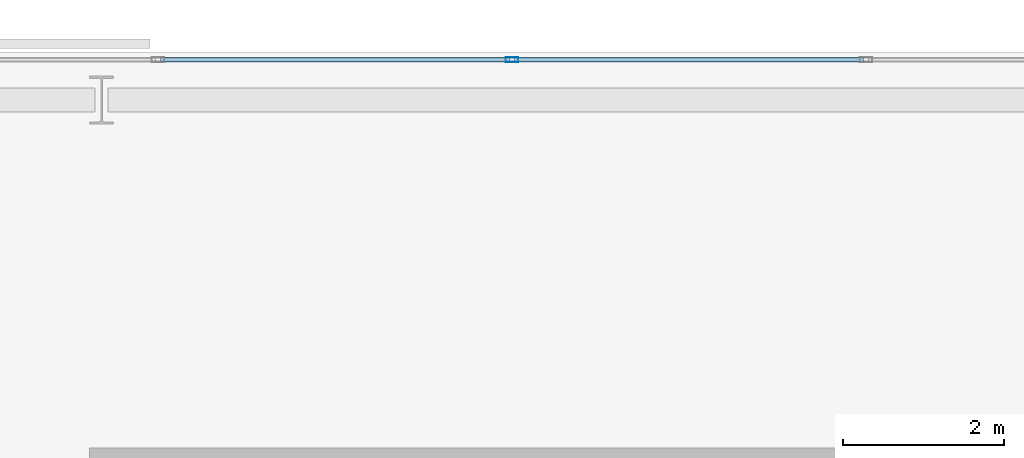
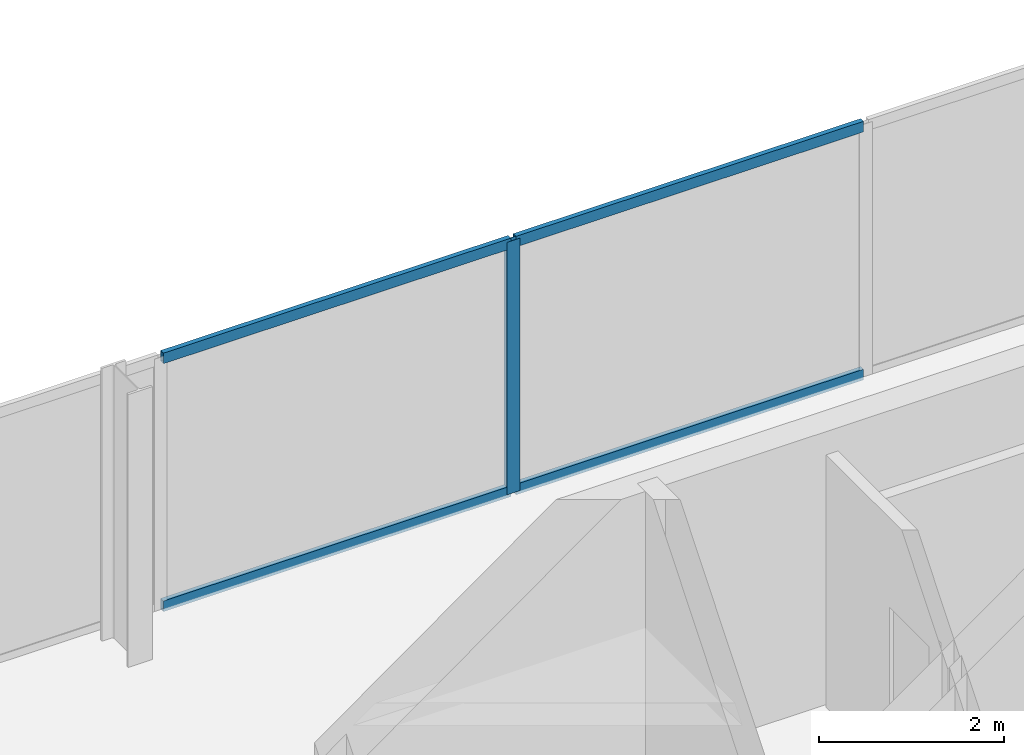
# One storey, part 20 of 32: 5 members, 1 element without a shape of its own.
"""IFC4 building model written with IfcOpenShell, lengths in metres."""

from ifc_helpers import new_model, si_unit, direction, frame, origin, origin_2d, place, context, subcontext, project, spatial, hollow_rectangle, extrude, material, layer, layer_set, material_profile, profile_set, type_object, element, aggregate, save


model = new_model("IFC4")

# Units and contexts
model_context = context("Model", 3, precision=1e-05, world=origin(), true_north=direction((0.0, 1.0)))
body_context = subcontext(model_context, "Body", "Model", "MODEL_VIEW")
ifc_project = project(units=[si_unit("LENGTHUNIT", "METRE"), si_unit("AREAUNIT", "SQUARE_METRE"), si_unit("VOLUMEUNIT", "CUBIC_METRE"), si_unit("PLANEANGLEUNIT", "RADIAN"), si_unit("MASSUNIT", "GRAM", prefix="KILO")], contexts=[model_context])

# Site, building, storey
site_placement = place(None, origin())
site = spatial("IfcSite", under=ifc_project, at=site_placement, CompositionType="ELEMENT")
building_placement = place(site_placement, origin())
building = spatial("IfcBuilding", under=site, at=building_placement, Name="Catumbela Crestline Tower", CompositionType="ELEMENT")
storey_placement = place(building_placement, frame((0.0, 0.0, 136.8)))
storey = spatial("IfcBuildingStorey", under=building, at=storey_placement, Name="L35", CompositionType="ELEMENT", Elevation=136.8)

# Curtain wall, members
ifc_material = material(Name="Aluminium alloy AW-6060-T66", Category="aluminium")
ifc_layer = layer(ifc_material, 0.18, Name="Aluminium alloy AW-6060-T66")
ifc_layer_set = layer_set([ifc_layer], Name="Aluminium alloy AW-6060-T66")
curtain_wall_type = type_object("IfcCurtainWallType", Name="CWU-Z2", PredefinedType="USERDEFINED", material=ifc_layer_set)
curtain_wall_placement = place(storey_placement, origin())
curtain_wall = element("IfcCurtainWall", 1, at=curtain_wall_placement, inside=storey, type_object=curtain_wall_type, Name="L35 Unitised Curtain Wall CW-L35-E7S1", ObjectType="UNITISED", PredefinedType="USERDEFINED")
ifc_material_profile_1 = material_profile(ifc_material, hollow_rectangle(XDim=0.06, YDim=0.16, WallThickness=0.004, at=origin_2d()), Name="ALU 160x60x4")
ifc_profile_set_1 = profile_set([ifc_material_profile_1], Name="Aluminium alloy AW-6060-T66")
member_type_1 = type_object("IfcMemberType", Name="MUL-160X60", PredefinedType="MULLION", material=ifc_profile_set_1)
member_1_placement = place(storey_placement, frame((21.1, 47.9, 0.0), z_axis=(0.0, 0.0, 1.0), x_axis=(0.0, -1.0, 0.0)))
member_1 = element("IfcMember", 2, at=member_1_placement, type_object=member_type_1, Name="CWU-Z2 mullion 7", PredefinedType="MULLION", context=body_context, shape_type="SweptSolid", body=[
    extrude(hollow_rectangle(XDim=0.06, YDim=0.16, WallThickness=0.004, at=origin_2d()), origin(), (0.0, 0.0, 1.0), 3.33),
])
ifc_material_profile_2 = material_profile(ifc_material, hollow_rectangle(XDim=0.06, YDim=0.14, WallThickness=0.004, at=origin_2d()), Name="ALU 140x60x4")
ifc_profile_set_2 = profile_set([ifc_material_profile_2], Name="Aluminium alloy AW-6060-T66")
member_type_2 = type_object("IfcMemberType", Name="TRN-140X60", PredefinedType="USERDEFINED", material=ifc_profile_set_2)
member_2_placement = place(storey_placement, frame((25.4675, 47.9, 0.03), z_axis=(-1.0, 0.0, 0.0), x_axis=(0.0, -1.0, 0.0)))
member_2 = element("IfcMember", 3, at=member_2_placement, type_object=member_type_2, Name="CWU-Z2 transom 6.1", ObjectType="TRANSOM", PredefinedType="USERDEFINED", context=body_context, shape_type="SweptSolid", body=[
    extrude(hollow_rectangle(XDim=0.06, YDim=0.14, WallThickness=0.004, at=origin_2d()), origin(), (0.0, 0.0, 1.0), 4.335),
])
member_3_placement = place(storey_placement, frame((25.4675, 47.9, 3.3), z_axis=(-1.0, 0.0, 0.0), x_axis=(0.0, -1.0, 0.0)))
member_3 = element("IfcMember", 4, at=member_3_placement, type_object=member_type_2, Name="CWU-Z2 transom 6.2", ObjectType="TRANSOM", PredefinedType="USERDEFINED", context=body_context, shape_type="SweptSolid", body=[
    extrude(hollow_rectangle(XDim=0.06, YDim=0.14, WallThickness=0.004, at=origin_2d()), origin(), (0.0, 0.0, 1.0), 4.335),
])
member_4_placement = place(storey_placement, frame((21.0675, 47.9, 0.03), z_axis=(-1.0, 0.0, 0.0), x_axis=(0.0, -1.0, 0.0)))
member_4 = element("IfcMember", 5, at=member_4_placement, type_object=member_type_2, Name="CWU-Z2 transom 7.1", ObjectType="TRANSOM", PredefinedType="USERDEFINED", context=body_context, shape_type="SweptSolid", body=[
    extrude(hollow_rectangle(XDim=0.06, YDim=0.14, WallThickness=0.004, at=origin_2d()), origin(), (0.0, 0.0, 1.0), 4.335),
])
member_5_placement = place(storey_placement, frame((21.0675, 47.9, 3.3), z_axis=(-1.0, 0.0, 0.0), x_axis=(0.0, -1.0, 0.0)))
member_5 = element("IfcMember", 6, at=member_5_placement, type_object=member_type_2, Name="CWU-Z2 transom 7.2", ObjectType="TRANSOM", PredefinedType="USERDEFINED", context=body_context, shape_type="SweptSolid", body=[
    extrude(hollow_rectangle(XDim=0.06, YDim=0.14, WallThickness=0.004, at=origin_2d()), origin(), (0.0, 0.0, 1.0), 4.335),
])
aggregate(curtain_wall, [member_1, member_2, member_3, member_4, member_5])

save(model, "model.ifc")
